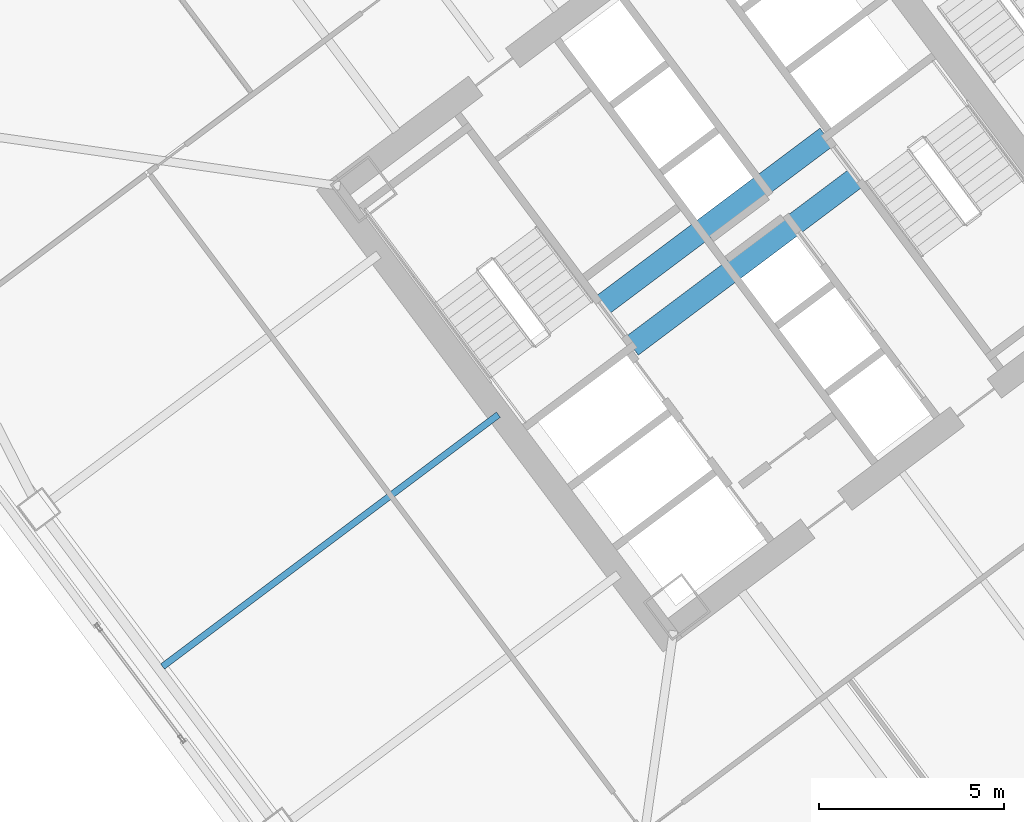
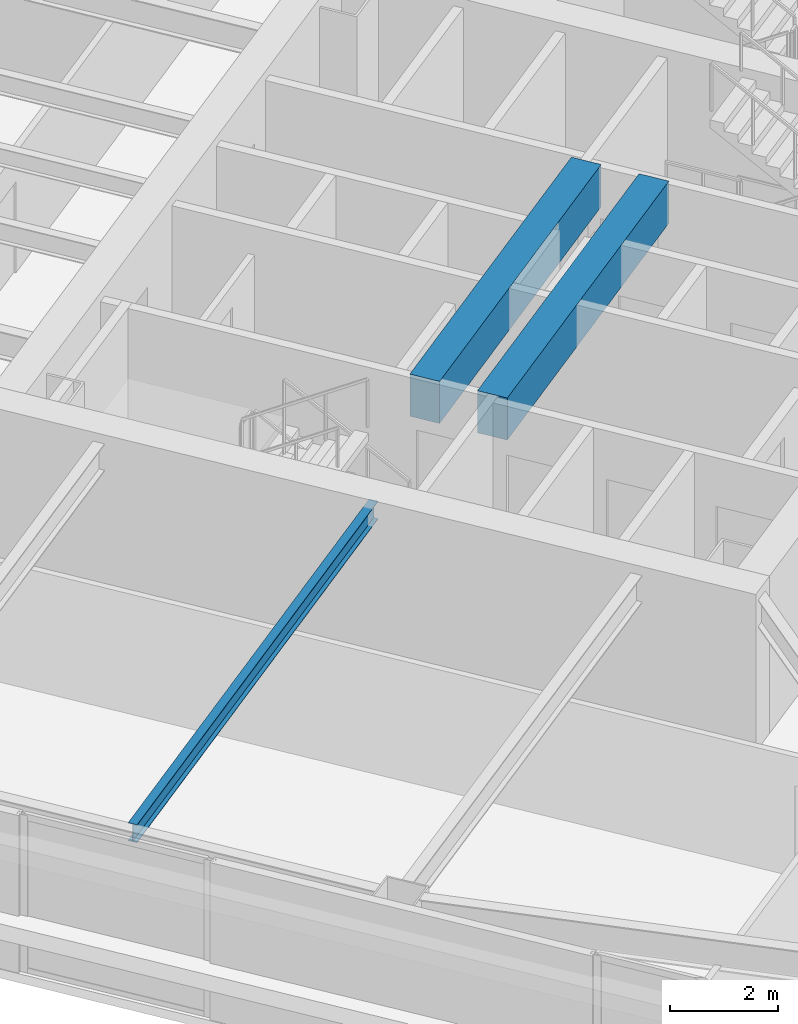
# One storey, part 21 of 44: 3 beams.
"""IFC4 building model written with IfcOpenShell, lengths in metres."""

from ifc_helpers import new_model, si_unit, direction, frame, origin, origin_2d, place, context, subcontext, project, spatial, rectangle, i_section, extrude, material, material_profile, profile_set, type_object, element, save


model = new_model("IFC4")

# Units and contexts
model_context = context("Model", 3, precision=1e-05, world=origin(), true_north=direction((0.0, 1.0)))
body_context = subcontext(model_context, "Body", "Model", "MODEL_VIEW")
ifc_project = project(units=[si_unit("LENGTHUNIT", "METRE"), si_unit("AREAUNIT", "SQUARE_METRE"), si_unit("VOLUMEUNIT", "CUBIC_METRE"), si_unit("PLANEANGLEUNIT", "RADIAN"), si_unit("MASSUNIT", "GRAM", prefix="KILO")], contexts=[model_context])

# Site, building, storey
site_placement = place(None, origin())
site = spatial("IfcSite", under=ifc_project, at=site_placement, CompositionType="ELEMENT")
building_placement = place(site_placement, origin())
building = spatial("IfcBuilding", under=site, at=building_placement, Name="Tashvorn Skyway Center", CompositionType="ELEMENT")
storey_placement = place(building_placement, frame((0.0, 0.0, 92.050048828125)))
storey = spatial("IfcBuildingStorey", under=building, at=storey_placement, Name="L24", CompositionType="ELEMENT", Elevation=92.050048828125)

# Beams
ifc_material_1 = material(Name="Steel ASTM A992 Grade 50", Category="steel")
ifc_material_profile_1 = material_profile(ifc_material_1, i_section(OverallWidth=0.177978515625, OverallDepth=0.406005859375, WebThickness=0.0078125, FlangeThickness=0.0126953125, at=origin_2d()), Name="W16X40")
ifc_profile_set_1 = profile_set([ifc_material_profile_1], Name="Steel ASTM A992 Grade 50")
beam_type_1 = type_object("IfcBeamType", Name="BM-JOIST-W16X40", PredefinedType="JOIST", material=ifc_profile_set_1)
beam_placement = place(storey_placement, frame((107.76806640625, 27.325927734375, 3.14697265625), z_axis=(-0.800002583493, -0.599996555327, 0.0), x_axis=(0.599996555327, -0.800002583493, 0.0)))
element("IfcBeam", 1, at=beam_placement, inside=storey, type_object=beam_type_1, Name="Tower 2 L24 Secondary Composite Joist JW", PredefinedType="JOIST", context=body_context, shape_type="SweptSolid", body=[
    extrude(i_section(OverallWidth=0.177978515625, OverallDepth=0.406005859375, WebThickness=0.0078125, FlangeThickness=0.0126953125, at=origin_2d()), origin(), (0.0, 0.0, 1.0), 11.340087890625),
])
ifc_material_2 = material(Name="Concrete C60/75", Category="concrete")
ifc_material_profile_2 = material_profile(ifc_material_2, rectangle(XDim=0.60009765625, YDim=0.949951171875, at=origin_2d()), Name="RCB600x950")
ifc_profile_set_2 = profile_set([ifc_material_profile_2], Name="Concrete C60/75")
beam_type_2 = type_object("IfcBeamType", Name="BM-LINTEL-RCB600x950", PredefinedType="LINTEL", material=ifc_profile_set_2)
for number, where, z_axis, x_axis, name in (
    (2, (110.552001953125, 30.263916015625, 2.875), (0.8, 0.6, 0.0), (-0.6, 0.8, 0.0), "Tower 2 L24 Core Coupling Beam CN"),
    (3, (111.367919921875, 29.176025390625, 2.875), (0.8, 0.6, 0.0), (-0.6, 0.8, 0.0), "Tower 2 L24 Core Coupling Beam CS"),
):
    element("IfcBeam", number, at=place(storey_placement, frame(where, z_axis=z_axis, x_axis=x_axis)), inside=storey, type_object=beam_type_2, Name=name, PredefinedType="LINTEL", context=body_context, shape_type="SweptSolid", body=[
        extrude(rectangle(XDim=0.60009765625, YDim=0.949951171875, at=origin_2d()), origin(), (0.0, 0.0, 1.0), 7.60009765625),
    ])

save(model, "model.ifc")
